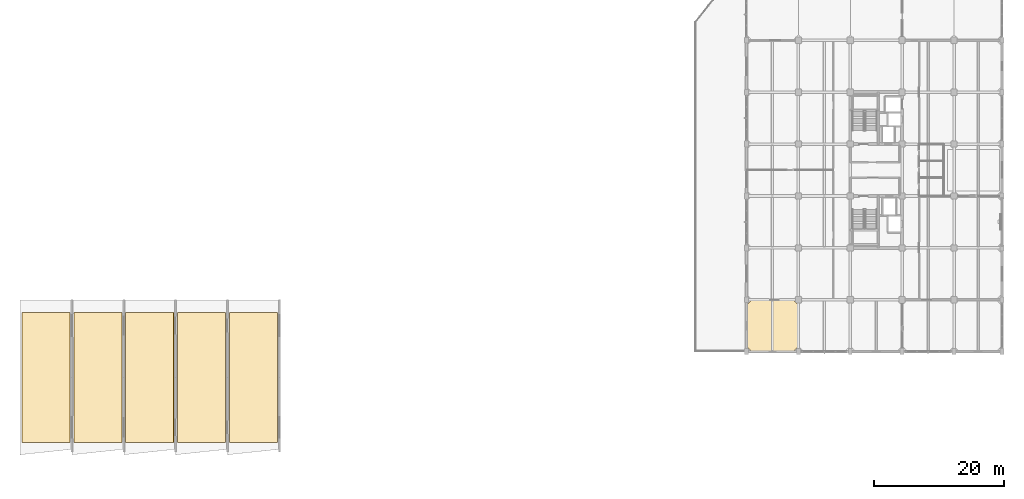
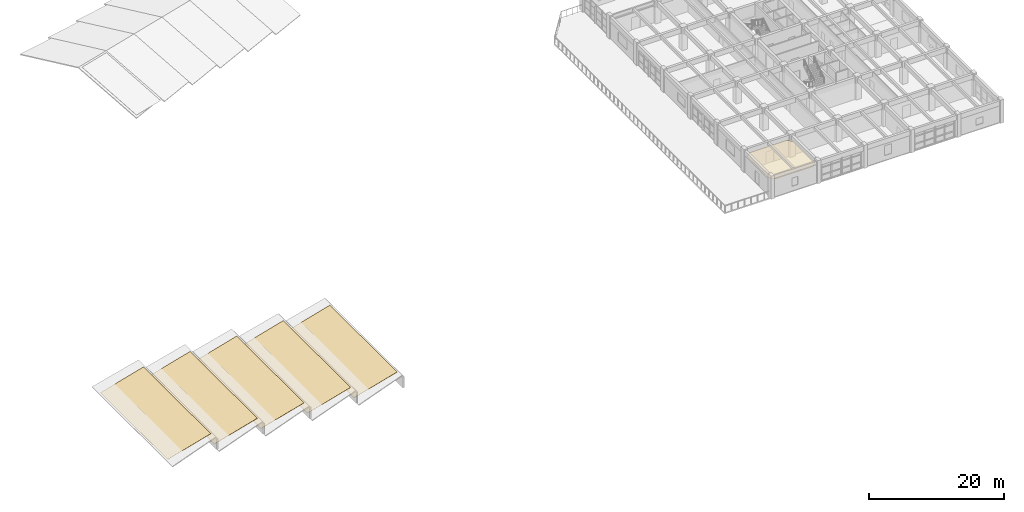
# One storey, part 29 of 35: 6 coverings, 5 elements without a shape of their own.
"""IFC4 building model written with IfcOpenShell, lengths in metres."""

from ifc_helpers import new_model, si_unit, direction, frame, origin, place, context, subcontext, project, spatial, polyline, outline, extrude, material, layer, layer_set, type_object, element, aggregate, save


model = new_model("IFC4")

# Units and contexts
model_context = context("Model", 3, precision=1e-05, world=origin(), true_north=direction((0.0, 1.0)))
body_context = subcontext(model_context, "Body", "Model", "MODEL_VIEW")
ifc_project = project(units=[si_unit("LENGTHUNIT", "METRE"), si_unit("AREAUNIT", "SQUARE_METRE"), si_unit("VOLUMEUNIT", "CUBIC_METRE"), si_unit("PLANEANGLEUNIT", "RADIAN"), si_unit("MASSUNIT", "GRAM", prefix="KILO")], contexts=[model_context])

# Site, building, storey
site_placement = place(None, origin())
site = spatial("IfcSite", under=ifc_project, at=site_placement, CompositionType="ELEMENT")
building_placement = place(site_placement, origin())
building = spatial("IfcBuilding", under=site, at=building_placement, Name="Canggui Botanical Conservatory", CompositionType="ELEMENT")
storey_placement = place(building_placement, frame((0.0, 0.0, 15.0)))
storey = spatial("IfcBuildingStorey", under=building, at=storey_placement, Name="L04", CompositionType="ELEMENT", Elevation=15.0)

# Covering
ifc_material_1 = material(Name="Mineral Fibre Acoustic Board")
ifc_layer_1 = layer(ifc_material_1, 0.014892578125, Name="Mineral Fibre Acoustic Board")
ifc_layer_set_1 = layer_set([ifc_layer_1], Name="Mineral Fibre Acoustic Board")
covering_type_1 = type_object("IfcCoveringType", Name="COV-CEIL-15", PredefinedType="CEILING", material=ifc_layer_set_1)
covering_1_placement = place(storey_placement, frame((0.0, 0.0, 3.034912109375)))
element("IfcCovering", 1, at=covering_1_placement, inside=storey, type_object=covering_type_1, Name="Suspended Acoustic Ceiling L04-138-26", PredefinedType="CEILING", context=body_context, shape_type="SweptSolid", body=[
    extrude(outline(polyline([(138.85009765625, 26.0), (145.14990234375, 26.0), (146.0, 26.85009765625), (146.0, 33.14990234375), (145.14990234375, 34.0), (138.85009765625, 34.0), (138.0, 33.14990234375), (138.0, 26.85009765625), (138.85009765625, 26.0)])), origin(), (0.0, 0.0, 1.0), 0.01513671875),
])

# Roof, covering
ifc_material_2 = material(Name="Concrete C35", Category="concrete")
ifc_layer_2 = layer(ifc_material_2, 0.179931640625, Name="Concrete C35", Category="concrete")
ifc_layer_set_2 = layer_set([ifc_layer_2], Name="Concrete C35")
roof_type = type_object("IfcRoofType", Name="ROOF-SHED", PredefinedType="SHED_ROOF", material=ifc_layer_set_2)
roof_1_placement = place(storey_placement, origin())
roof_1 = element("IfcRoof", 2, at=roof_1_placement, inside=storey, type_object=roof_type, Name="Visitor Centre Sawtooth North-Light Roof 1", PredefinedType="SHED_ROOF")
ifc_material_3 = material(Name="TPO Waterproofing Membrane")
ifc_layer_3 = layer(ifc_material_3, 0.02490234375, Name="TPO Waterproofing Membrane")
ifc_layer_set_3 = layer_set([ifc_layer_3], Name="TPO Waterproofing Membrane")
covering_type_2 = type_object("IfcCoveringType", Name="COV-ROOF-25", PredefinedType="ROOFING", material=ifc_layer_set_3)
covering_2_placement = place(storey_placement, frame((26.300048828125, 12.0, 0.02490234375), z_axis=(-0.273018769204, 0.0, 0.962008706646), x_axis=(0.962008706646, 0.0, 0.273018769204)))
covering_2 = element("IfcCovering", 3, at=covering_2_placement, type_object=covering_type_2, Name="Visitor Sawtooth Roof 1 TPO Membrane", PredefinedType="ROOFING", context=body_context, shape_type="SweptSolid", body=[
    extrude(outline(polyline([(0.0, 0.0), (7.692136560333773, 0.0), (7.692136560333773, 20.0), (0.0, 20.0), (0.0, 0.0)])), origin(), (0.0, 0.0, -1.0), 0.02490234375),
])
aggregate(roof_1, [covering_2])

roof_2_placement = place(storey_placement, origin())
roof_2 = element("IfcRoof", 4, at=roof_2_placement, inside=storey, type_object=roof_type, Name="Visitor Centre Sawtooth North-Light Roof 2", PredefinedType="SHED_ROOF")
covering_3_placement = place(storey_placement, frame((34.300048828125, 12.0, 0.02490234375), z_axis=(-0.273018769204, 0.0, 0.962008706646), x_axis=(0.962008706646, 0.0, 0.273018769204)))
covering_3 = element("IfcCovering", 5, at=covering_3_placement, type_object=covering_type_2, Name="Visitor Sawtooth Roof 2 TPO Membrane", PredefinedType="ROOFING", context=body_context, shape_type="SweptSolid", body=[
    extrude(outline(polyline([(0.0, 0.0), (7.692136560333773, 0.0), (7.692136560333773, 20.0), (0.0, 20.0), (0.0, 0.0)])), origin(), (0.0, 0.0, -1.0), 0.02490234375),
])
aggregate(roof_2, [covering_3])

roof_3_placement = place(storey_placement, origin())
roof_3 = element("IfcRoof", 6, at=roof_3_placement, inside=storey, type_object=roof_type, Name="Visitor Centre Sawtooth North-Light Roof 3", PredefinedType="SHED_ROOF")
covering_4_placement = place(storey_placement, frame((42.300048828125, 12.0, 0.02490234375), z_axis=(-0.273018769204, 0.0, 0.962008706646), x_axis=(0.962008706646, 0.0, 0.273018769204)))
covering_4 = element("IfcCovering", 7, at=covering_4_placement, type_object=covering_type_2, Name="Visitor Sawtooth Roof 3 TPO Membrane", PredefinedType="ROOFING", context=body_context, shape_type="SweptSolid", body=[
    extrude(outline(polyline([(0.0, 0.0), (7.692136560333773, 0.0), (7.692136560333773, 20.0), (0.0, 20.0), (0.0, 0.0)])), origin(), (0.0, 0.0, -1.0), 0.02490234375),
])
aggregate(roof_3, [covering_4])

roof_4_placement = place(storey_placement, origin())
roof_4 = element("IfcRoof", 8, at=roof_4_placement, inside=storey, type_object=roof_type, Name="Visitor Centre Sawtooth North-Light Roof 4", PredefinedType="SHED_ROOF")
covering_5_placement = place(storey_placement, frame((50.300048828125, 12.0, 0.02490234375), z_axis=(-0.273018769204, 0.0, 0.962008706646), x_axis=(0.962008706646, 0.0, 0.273018769204)))
covering_5 = element("IfcCovering", 9, at=covering_5_placement, type_object=covering_type_2, Name="Visitor Sawtooth Roof 4 TPO Membrane", PredefinedType="ROOFING", context=body_context, shape_type="SweptSolid", body=[
    extrude(outline(polyline([(0.0, 0.0), (7.692136560333773, 0.0), (7.692136560333773, 20.0), (0.0, 20.0), (0.0, 0.0)])), origin(), (0.0, 0.0, -1.0), 0.02490234375),
])
aggregate(roof_4, [covering_5])

roof_5_placement = place(storey_placement, origin())
roof_5 = element("IfcRoof", 10, at=roof_5_placement, inside=storey, type_object=roof_type, Name="Visitor Centre Sawtooth North-Light Roof 5", PredefinedType="SHED_ROOF")
covering_6_placement = place(storey_placement, frame((58.300048828125, 12.0, 0.02490234375), z_axis=(-0.273018769204, 0.0, 0.962008706646), x_axis=(0.962008706646, 0.0, 0.273018769204)))
covering_6 = element("IfcCovering", 11, at=covering_6_placement, type_object=covering_type_2, Name="Visitor Sawtooth Roof 5 TPO Membrane", PredefinedType="ROOFING", context=body_context, shape_type="SweptSolid", body=[
    extrude(outline(polyline([(0.0, 0.0), (7.692136560333773, 0.0), (7.692136560333773, 20.0), (0.0, 20.0), (0.0, 0.0)])), origin(), (0.0, 0.0, -1.0), 0.02490234375),
])
aggregate(roof_5, [covering_6])

save(model, "model.ifc")
